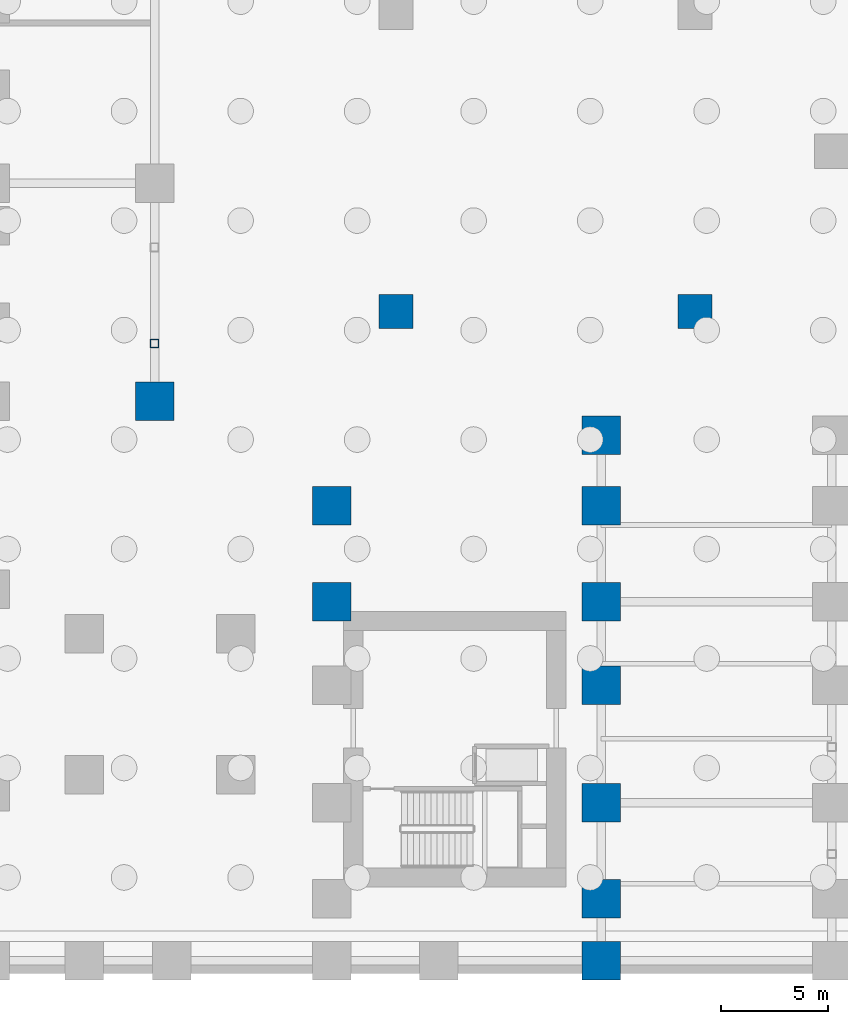
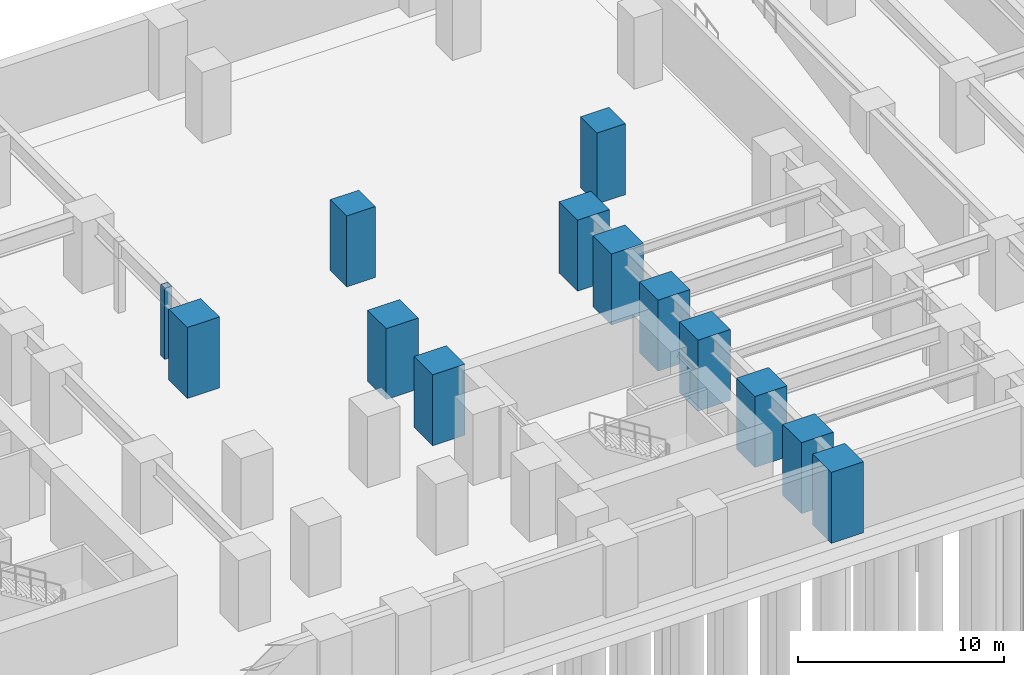
# One storey, part 4 of 15: 13 columns.
"""IFC4 building model written with IfcOpenShell, lengths in metres."""

from ifc_helpers import new_model, si_unit, direction, frame, origin, origin_2d, place, context, subcontext, project, spatial, rectangle, hollow_rectangle, extrude, source, transform, mapped, material, material_profile, profile_set, type_object, element, save


model = new_model("IFC4")

# Units and contexts
model_context = context("Model", 3, precision=1e-05, world=origin(), true_north=direction((0.0, 1.0)))
body_context = subcontext(model_context, "Body", "Model", "MODEL_VIEW")
ifc_project = project(units=[si_unit("LENGTHUNIT", "METRE"), si_unit("AREAUNIT", "SQUARE_METRE"), si_unit("VOLUMEUNIT", "CUBIC_METRE"), si_unit("PLANEANGLEUNIT", "RADIAN"), si_unit("MASSUNIT", "GRAM", prefix="KILO")], contexts=[model_context])

# Site, building, storey
site_placement = place(None, origin())
site = spatial("IfcSite", under=ifc_project, at=site_placement, CompositionType="ELEMENT")
building_placement = place(site_placement, origin())
building = spatial("IfcBuilding", under=site, at=building_placement, Name="Kharzan Plaza Tower", CompositionType="ELEMENT")
storey_placement = place(building_placement, frame((0.0, 0.0, -9.0)))
storey = spatial("IfcBuildingStorey", under=building, at=storey_placement, Name="B02", CompositionType="ELEMENT", Elevation=-9.0)

# Columns
ifc_material_1 = material(Name="Concrete C60/75", Category="concrete")
ifc_material_profile_1 = material_profile(ifc_material_1, rectangle(XDim=1.60009765625, YDim=1.60009765625, at=origin_2d()), Name="RC-MC1600x1600")
ifc_profile_set_1 = profile_set([ifc_material_profile_1], Name="Concrete C60/75")
column_type_1 = type_object("IfcColumnType", Name="COL-BC1600", PredefinedType="COLUMN", material=ifc_profile_set_1)
shared_shape_1 = source(origin(), body_context, "Body", "SweptSolid", [
    extrude(rectangle(XDim=1.60009765625, YDim=1.60009765625, at=origin_2d()), origin(), (0.0, 0.0, 1.0), 4.199951171875),
])
for number, where, z_axis, x_axis, name in (
    (1, (38.0, 31.0, 0.0), (0.0, 0.0, 1.0), (1.0, 0.0, 0.0), "B02 Structural Column BC03"),
    (2, (52.0, 31.0, 0.0), (0.0, 0.0, 1.0), (1.0, 0.0, 0.0), "B02 Structural Column BC04"),
):
    element("IfcColumn", number, at=place(storey_placement, frame(where, z_axis=z_axis, x_axis=x_axis)), inside=storey, type_object=column_type_1, Name=name, PredefinedType="COLUMN", context=body_context, shape_type="MappedRepresentation", body=[
        mapped(shared_shape_1, transform((0.0, 0.0, 0.0), x_axis=(1.0, 0.0, 0.0), y_axis=(0.0, 1.0, 0.0), z_axis=(0.0, 0.0, 1.0))),
    ])
ifc_material_profile_2 = material_profile(ifc_material_1, rectangle(XDim=1.800048828125, YDim=1.800048828125, at=origin_2d()), Name="RC-MC1800x1800")
ifc_profile_set_2 = profile_set([ifc_material_profile_2], Name="Concrete C60/75")
column_type_2 = type_object("IfcColumnType", Name="COL-MC1800", PredefinedType="COLUMN", material=ifc_profile_set_2)
shared_shape_2 = source(origin(), body_context, "Body", "SweptSolid", [
    extrude(rectangle(XDim=1.800048828125, YDim=1.800048828125, at=origin_2d()), origin(), (0.0, 0.0, 1.0), 4.199951171875),
])
for number, where, z_axis, x_axis, name in (
    (3, (47.60009765625, 0.60009765625, 0.0), (0.0, 0.0, 1.0), (1.0, 0.0, 0.0), "B02 Podium Mega-Column MC18"),
    (4, (26.699951171875, 26.800048828125, 0.0), (0.0, 0.0, 1.0), (1.0, 0.0, 0.0), "B02 Podium Mega-Column MC23"),
    (5, (47.60009765625, 3.5, 0.0), (0.0, 0.0, 1.0), (1.0, 0.0, 0.0), "B02 Podium Mega-Column MC31"),
    (6, (47.60009765625, 8.0, 0.0), (0.0, 0.0, 1.0), (1.0, 0.0, 0.0), "B02 Podium Mega-Column MC32"),
    (7, (47.60009765625, 13.5, 0.0), (0.0, 0.0, 1.0), (1.0, 0.0, 0.0), "B02 Podium Mega-Column MC33"),
    (8, (47.60009765625, 17.39990234375, 0.0), (0.0, 0.0, 1.0), (1.0, 0.0, 0.0), "B02 Podium Mega-Column MC34"),
    (9, (47.60009765625, 21.89990234375, 0.0), (0.0, 0.0, 1.0), (1.0, 0.0, 0.0), "B02 Podium Mega-Column MC35"),
    (10, (47.60009765625, 25.199951171875, 0.0), (0.0, 0.0, 1.0), (1.0, 0.0, 0.0), "B02 Podium Mega-Column MC36"),
    (11, (35.0, 17.39990234375, 0.0), (0.0, 0.0, 1.0), (1.0, 0.0, 0.0), "B02 Podium Mega-Column MC48"),
    (12, (35.0, 21.89990234375, 0.0), (0.0, 0.0, 1.0), (1.0, 0.0, 0.0), "B02 Podium Mega-Column MC49"),
):
    element("IfcColumn", number, at=place(storey_placement, frame(where, z_axis=z_axis, x_axis=x_axis)), inside=storey, type_object=column_type_2, Name=name, PredefinedType="COLUMN", context=body_context, shape_type="MappedRepresentation", body=[
        mapped(shared_shape_2, transform((0.0, 0.0, 0.0), x_axis=(1.0, 0.0, 0.0), y_axis=(0.0, 1.0, 0.0), z_axis=(0.0, 0.0, 1.0))),
    ])
ifc_material_2 = material(Name="Steel S355", Category="steel")
ifc_material_profile_3 = material_profile(ifc_material_2, hollow_rectangle(XDim=0.39990234375, YDim=0.39990234375, WallThickness=0.02001953125, at=origin_2d()), Name="SHS400x400x20")
ifc_profile_set_3 = profile_set([ifc_material_profile_3], Name="Steel S355")
column_type_3 = type_object("IfcColumnType", Name="COL-PIL400", PredefinedType="PILASTER", material=ifc_profile_set_3)
shared_shape_3 = source(origin(), body_context, "Body", "SweptSolid", [
    extrude(hollow_rectangle(XDim=0.39990234375, YDim=0.39990234375, WallThickness=0.02001953125, at=origin_2d()), origin(), (0.0, 0.0, 1.0), 4.199951171875),
])
column_placement = place(storey_placement, frame((26.699951171875, 29.5, 0.0), z_axis=(0.0, 0.0, 1.0), x_axis=(1.0, 0.0, 0.0)))
element("IfcColumn", 13, at=column_placement, inside=storey, type_object=column_type_3, Name="B02 Portal Steel Pilaster 1", PredefinedType="PILASTER", context=body_context, shape_type="MappedRepresentation", body=[
    mapped(shared_shape_3, transform((0.0, 0.0, 0.0), x_axis=(1.0, 0.0, 0.0), y_axis=(0.0, 1.0, 0.0), z_axis=(0.0, 0.0, 1.0))),
])

save(model, "model.ifc")
